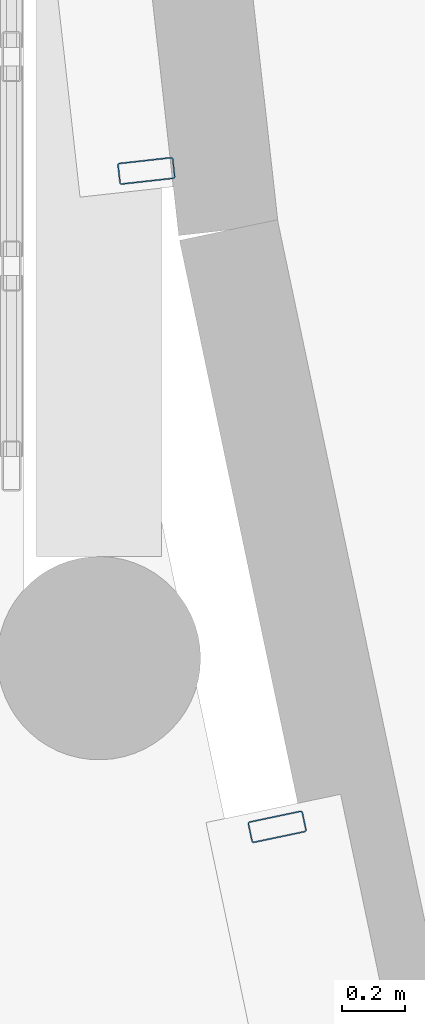
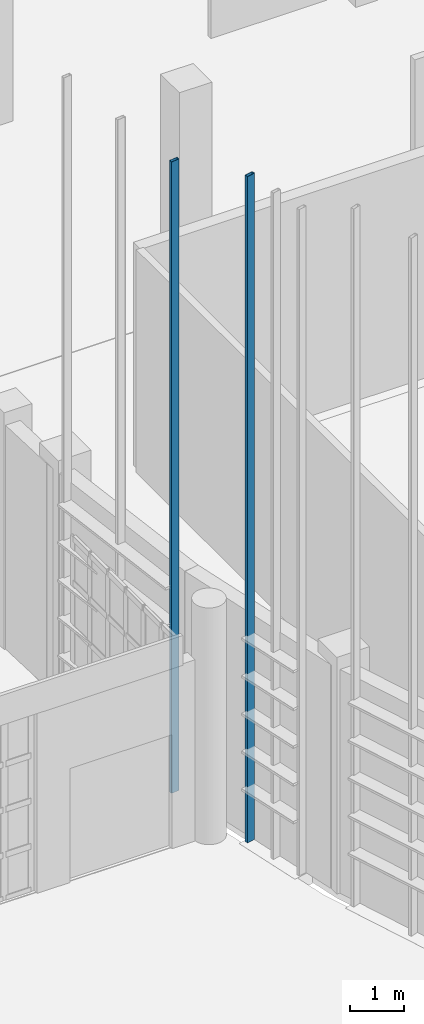
# One storey, part 223 of 372: 2 members.
"""IFC4 building model written with IfcOpenShell, lengths in metres."""

from ifc_helpers import new_model, si_unit, direction, frame, origin, origin_2d, place, context, subcontext, project, spatial, hollow_rectangle, extrude, material, material_profile, profile_set, type_object, element, save


model = new_model("IFC4")

# Units and contexts
model_context = context("Model", 3, precision=1e-05, world=origin(), true_north=direction((0.0, 1.0)))
body_context = subcontext(model_context, "Body", "Model", "MODEL_VIEW")
ifc_project = project(units=[si_unit("LENGTHUNIT", "METRE"), si_unit("AREAUNIT", "SQUARE_METRE"), si_unit("VOLUMEUNIT", "CUBIC_METRE"), si_unit("PLANEANGLEUNIT", "RADIAN"), si_unit("MASSUNIT", "GRAM", prefix="KILO")], contexts=[model_context])

# Site, building, storey
site_placement = place(None, origin())
site = spatial("IfcSite", under=ifc_project, at=site_placement, CompositionType="ELEMENT")
building_placement = place(site_placement, origin())
building = spatial("IfcBuilding", under=site, at=building_placement, Name="Kaelora Sail Theatre", CompositionType="ELEMENT")
storey_placement = place(building_placement, origin())
storey = spatial("IfcBuildingStorey", under=building, at=storey_placement, Name="L00", CompositionType="ELEMENT", Elevation=0.0)

# Members
ifc_material = material(Name="Anodised aluminium 6063-T6", Category="aluminium")
ifc_material_profile = material_profile(ifc_material, hollow_rectangle(XDim=0.070068359375, YDim=0.179931640625, WallThickness=0.00390625, InnerFilletRadius=0.00390625, OuterFilletRadius=0.008056640625, at=origin_2d()), Name="ALU-MULL 70x180x4")
ifc_profile_set = profile_set([ifc_material_profile], Name="Anodised aluminium 6063-T6")
member_type = type_object("IfcMemberType", Name="ARC-MEM-PST-160", PredefinedType="POST", material=ifc_profile_set)
member_1_placement = place(storey_placement, frame((123.56982421875, 38.16064453125, 0.0), z_axis=(0.0, 0.0, 1.0), x_axis=(-0.205521007059, 0.978652704312, 0.0)))
element("IfcMember", 1, at=member_1_placement, inside=storey, type_object=member_type, Name="Black-Box and Experimental Sail Wing solar louvre vertical support post C17-3", PredefinedType="POST", context=body_context, shape_type="SweptSolid", body=[
    extrude(hollow_rectangle(XDim=0.070068359375, YDim=0.179931640625, WallThickness=0.00390625, InnerFilletRadius=0.00390625, OuterFilletRadius=0.008056640625, at=origin_2d()), origin(), (0.0, 0.0, 1.0), 15.19921875),
])
member_2_placement = place(storey_placement, frame((123.151611328125, 40.25830078125, 0.0), z_axis=(0.0, 0.0, 1.0), x_axis=(-0.110775124211, 0.993845496974, 0.0)))
element("IfcMember", 2, at=member_2_placement, inside=storey, type_object=member_type, Name="Black-Box and Experimental Sail Wing solar louvre vertical support post C18-1", PredefinedType="POST", context=body_context, shape_type="SweptSolid", body=[
    extrude(hollow_rectangle(XDim=0.070068359375, YDim=0.179931640625, WallThickness=0.00390625, InnerFilletRadius=0.00390625, OuterFilletRadius=0.008056640625, at=origin_2d()), origin(), (0.0, 0.0, 1.0), 14.404541015625),
])

save(model, "model.ifc")
